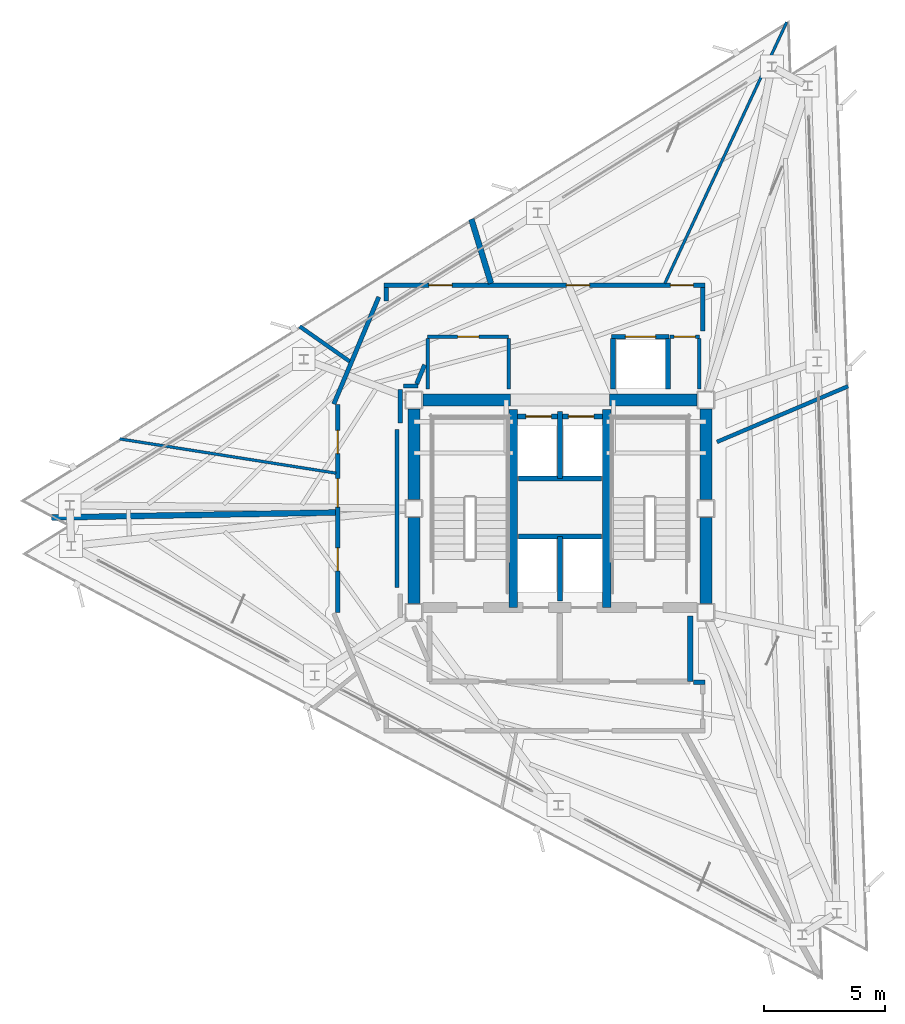
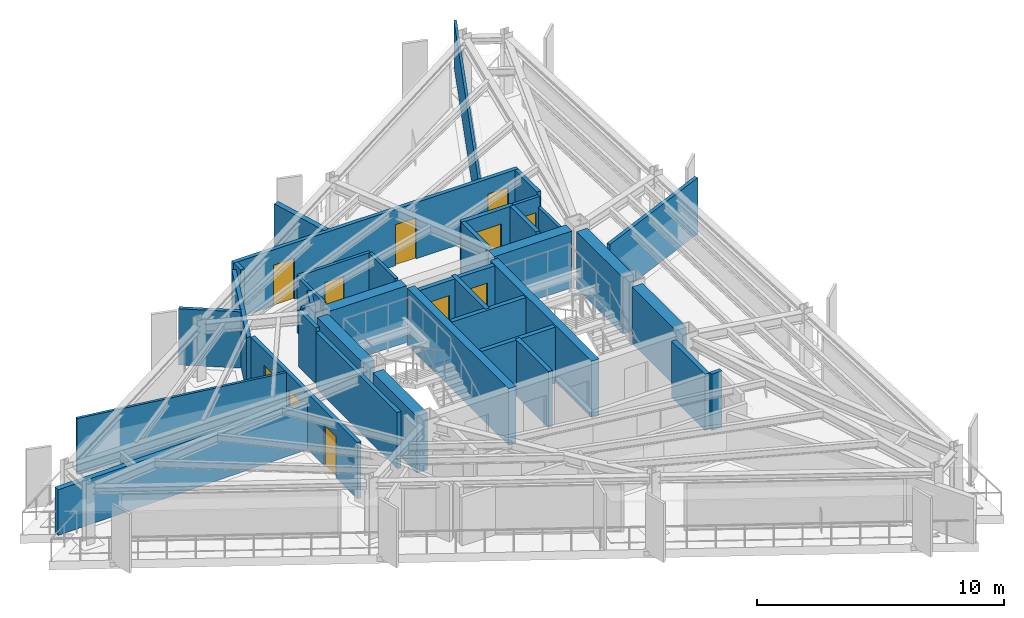
# One storey, part 9 of 13: 38 walls, 11 doors, 11 openings.
"""IFC4 building model written with IfcOpenShell, lengths in metres."""

import ifcopenshell
import ifcopenshell.guid

model = None  # the IFC model being written
_history = None  # IfcOwnerHistory: only IFC2X3 demands one
_inside = {}  # id of a spatial element -> (the spatial element, [elements in it])
_under = {}  # id of a project, library or spatial element -> (it, [spatial elements below it])
_declared = {}  # id of a project -> (the project, [libraries it declares])
_typed = {}  # id of a type object -> (the type object, [elements of that type])
_made_of = {}  # id of a material, layer set ... -> (it, [elements and type objects made of it])


def new_model(schema):
    """Start an empty IFC model of exactly this schema.

    Asked for "IFC4X3", IfcOpenShell would pick the latest addendum, in which some entities
    have other attributes; the version numbers below select the first issue.
    IFC2X3 requires an IfcOwnerHistory on every rooted entity: one is made here for all.
    """
    global model, _history
    if schema == "IFC4X3":
        model = ifcopenshell.file(schema_version=(4, 3, 0, 0))
    else:
        model = ifcopenshell.file(schema=schema)
    _inside.clear()
    _under.clear()
    _declared.clear()
    _typed.clear()
    _made_of.clear()
    _history = None
    if model.schema == "IFC2X3":
        org = make("IfcOrganization", Name="unknown")
        user = make(
            "IfcPersonAndOrganization",
            ThePerson=make("IfcPerson", FamilyName="unknown"),
            TheOrganization=org,
        )
        app = make(
            "IfcApplication",
            ApplicationDeveloper=org,
            Version="unknown",
            ApplicationFullName="unknown",
            ApplicationIdentifier="unknown",
        )
        _history = make(
            "IfcOwnerHistory",
            OwningUser=user,
            OwningApplication=app,
            ChangeAction="ADDED",
            CreationDate=0,
        )
    return model


def make(cls, **values):
    """One entity of the class cls with the attributes given. An attribute that is None is left unset."""
    return model.create_entity(
        cls, **{name: value for name, value in values.items() if value is not None}
    )


def rooted(cls, **values):
    """An entity with a GlobalId (a new one), such as an element, a storey or a relation."""
    return make(cls, GlobalId=ifcopenshell.guid.new(), OwnerHistory=_history, **values)


def si_unit(unit_type, name, prefix=None):
    """IfcSIUnit, for example si_unit("LENGTHUNIT", "METRE", prefix="MILLI")."""
    return make("IfcSIUnit", UnitType=unit_type, Prefix=prefix, Name=name)


def assignment(units):
    """IfcUnitAssignment: the units of a project."""
    return None if units is None else make("IfcUnitAssignment", Units=units)


def point(xyz):
    """IfcCartesianPoint."""
    return None if xyz is None else make("IfcCartesianPoint", Coordinates=xyz)


def direction(xyz):
    """IfcDirection."""
    return None if xyz is None else make("IfcDirection", DirectionRatios=xyz)


def frame(location, z_axis=None, x_axis=None):
    """IfcAxis2Placement3D, a coordinate frame: its origin and axes. An axis left out is left unset."""
    return make(
        "IfcAxis2Placement3D",
        Location=point(location),
        Axis=direction(z_axis),
        RefDirection=direction(x_axis),
    )


def frame_2d(location, x_axis=None):
    """IfcAxis2Placement2D, a coordinate frame in the plane: its origin and x axis."""
    return make(
        "IfcAxis2Placement2D", Location=point(location), RefDirection=direction(x_axis)
    )


def origin():
    """The frame at (0, 0, 0) with its axes left unset."""
    return frame((0.0, 0.0, 0.0))


def place(relative_to, where):
    """IfcLocalPlacement: puts the frame where relative to a parent placement (None: the world)."""
    return make(
        "IfcLocalPlacement", PlacementRelTo=relative_to, RelativePlacement=where
    )


def context(
    kind, dimensions, precision=None, world=None, true_north=None, identifier=None
):
    """IfcGeometricRepresentationContext, for example the 3D "Model" context."""
    return make(
        "IfcGeometricRepresentationContext",
        ContextIdentifier=identifier,
        ContextType=kind,
        CoordinateSpaceDimension=dimensions,
        Precision=precision,
        WorldCoordinateSystem=world,
        TrueNorth=true_north,
    )


def subcontext(parent, identifier, kind, view, scale=None):
    """IfcGeometricRepresentationSubContext, for example "Body" below "Model"."""
    return make(
        "IfcGeometricRepresentationSubContext",
        ContextIdentifier=identifier,
        ContextType=kind,
        ParentContext=parent,
        TargetScale=scale,
        TargetView=view,
    )


def project(units=None, contexts=None):
    """IfcProject with its units and contexts."""
    return rooted(
        "IfcProject",
        Name="project",
        RepresentationContexts=contexts,
        UnitsInContext=assignment(units),
    )


def spatial(cls, under=None, at=None, **own):
    """A site, building, storey or space (cls), placed at a placement, below another one or the project."""
    s = rooted(cls, ObjectPlacement=at, **own)
    if under is not None:
        _under.setdefault(under.id(), (under, []))[1].append(s)
    return s


def profile(cls, at=None, kind="AREA", **sizes):
    """A parametric profile (cls). Its sizes go by their IFC names, for example OverallWidth=200.0."""
    return make(cls, ProfileType=kind, Position=at, **sizes)


def rectangle(**sizes):
    """IfcRectangleProfileDef."""
    return profile("IfcRectangleProfileDef", **sizes)


def extrude(swept, where, along, depth):
    """IfcExtrudedAreaSolid: the profile swept, set in the frame where, extruded along a direction by depth."""
    return make(
        "IfcExtrudedAreaSolid",
        SweptArea=swept,
        Position=where,
        ExtrudedDirection=direction(along),
        Depth=depth,
    )


def shape(context_of_items, identifier, shape_type, items):
    """IfcShapeRepresentation: the items that make up one representation, for example the "Body"."""
    return make(
        "IfcShapeRepresentation",
        ContextOfItems=context_of_items,
        RepresentationIdentifier=identifier,
        RepresentationType=shape_type,
        Items=items,
    )


def material(Name=None, Category=None):
    """IfcMaterial."""
    return make("IfcMaterial", Name=Name, Category=Category)


def layer(
    of_material, thickness, ventilated=None, Name=None, Category=None, Priority=None
):
    """IfcMaterialLayer: one layer of a wall or slab, of a material (None: an air gap)."""
    return make(
        "IfcMaterialLayer",
        Material=of_material,
        LayerThickness=thickness,
        IsVentilated=ventilated,
        Name=Name,
        Category=Category,
        Priority=Priority,
    )


def layer_set(layers, Name=None):
    """IfcMaterialLayerSet."""
    return make("IfcMaterialLayerSet", MaterialLayers=layers, LayerSetName=Name)


def made_of(thing, what):
    """Note that an element or type object is made of a material, layer set ...; save() writes the relation."""
    if what is not None:
        _made_of.setdefault(what.id(), (what, []))[1].append(thing)
    return thing


def type_object(cls, material=None, **own):
    """A type object (cls), such as IfcWallType, which elements share."""
    return made_of(rooted(cls, **own), material)


def element(
    cls,
    number,
    at=None,
    inside=None,
    cuts=None,
    type_object=None,
    material=None,
    context=None,
    identifier="Body",
    shape_type=None,
    held_by="IfcProductDefinitionShape",
    body=None,
    shapes=None,
    **own,
):
    """One element of the class cls, such as IfcWall. Its Tag is "e" and its number.

    at: its placement. inside: the storey or other place that contains it. cuts: it is an
    opening in that element (IfcRelVoidsElement). A single representation is given by context,
    identifier, shape_type and body (its items); several are given by shapes. held_by: the class
    of the entity that holds the representations. save() writes the other relations.
    """
    e = rooted(cls, Tag="e%d" % number, ObjectPlacement=at, **own)
    if body is not None:
        shapes = [shape(context, identifier, shape_type, body)]
    if shapes is not None:
        e.Representation = make(held_by, Representations=shapes)
    if inside is not None:
        _inside.setdefault(inside.id(), (inside, []))[1].append(e)
    if cuts is not None:
        rooted(
            "IfcRelVoidsElement", RelatingBuildingElement=cuts, RelatedOpeningElement=e
        )
    if type_object is not None:
        _typed.setdefault(type_object.id(), (type_object, []))[1].append(e)
    return made_of(e, material)


def fill(opening, filler):
    """IfcRelFillsElement: the door or window that sits in an opening."""
    return rooted(
        "IfcRelFillsElement",
        RelatingOpeningElement=opening,
        RelatedBuildingElement=filler,
    )


def aggregate(whole, parts):
    """IfcRelAggregates: a whole, such as a stair, and the parts it consists of."""
    return rooted("IfcRelAggregates", RelatingObject=whole, RelatedObjects=parts)


def save(model, path):
    """Write the relations noted so far, then the file.

    IfcRelAggregates (storeys below a building ...), IfcRelContainedInSpatialStructure (elements
    in a storey), IfcRelDefinesByType, IfcRelAssociatesMaterial and IfcRelDeclares: one each for
    every whole, place, type object, material and project.
    """
    for whole, parts in _under.values():
        aggregate(whole, parts)
    for where, things in _inside.values():
        rooted(
            "IfcRelContainedInSpatialStructure",
            RelatedElements=things,
            RelatingStructure=where,
        )
    for kind, things in _typed.values():
        rooted("IfcRelDefinesByType", RelatedObjects=things, RelatingType=kind)
    for what, things in _made_of.values():
        rooted("IfcRelAssociatesMaterial", RelatedObjects=things, RelatingMaterial=what)
    for by, libraries in _declared.values():
        rooted("IfcRelDeclares", RelatingContext=by, RelatedDefinitions=libraries)
    model.write(path)


model = new_model("IFC4")

# Units and contexts
model_context = context("Model", 3, precision=1e-05, world=origin(), true_north=direction((0.0, 1.0)))
body_context = subcontext(model_context, "Body", "Model", "MODEL_VIEW")
ifc_project = project(units=[si_unit("LENGTHUNIT", "METRE"), si_unit("AREAUNIT", "SQUARE_METRE"), si_unit("VOLUMEUNIT", "CUBIC_METRE"), si_unit("PLANEANGLEUNIT", "RADIAN"), si_unit("MASSUNIT", "GRAM", prefix="KILO")], contexts=[model_context])

# Site, building, storey
site_placement = place(None, origin())
site = spatial("IfcSite", under=ifc_project, at=site_placement, CompositionType="ELEMENT")
building_placement = place(site_placement, origin())
building = spatial("IfcBuilding", under=site, at=building_placement, Name="Rocaltana Carrier Exchange", CompositionType="ELEMENT")
storey_placement = place(building_placement, frame((0.0, 0.0, 193.60009765625)))
storey = spatial("IfcBuildingStorey", under=building, at=storey_placement, Name="L61", CompositionType="ELEMENT", Elevation=193.60009765625)

# Walls
ifc_material_1 = material(Name="Double Acoustic Gypsum Partition", Category="gypsum")
ifc_layer_1 = layer(ifc_material_1, 0.159912109375)
ifc_layer_set_1 = layer_set([ifc_layer_1], Name="Double Acoustic Gypsum Partition")
wall_type_1 = type_object("IfcWallType", Name="Acoustic Studio Partition 160 EI60", PredefinedType="PARTITIONING", material=ifc_layer_set_1)
wall_1_placement = place(storey_placement, frame((6.510009765625, 2.76318359375, 0.0), z_axis=(0.0, 0.0, 1.0), x_axis=(0.920487144923, 0.390772844543, 0.0)))
element("IfcWall", 1, at=wall_1_placement, inside=storey, type_object=wall_type_1, Name="L61 Suite Divider Wall D5", PredefinedType="PARTITIONING", context=body_context, shape_type="SweptSolid", body=[
    extrude(rectangle(XDim=5.904052734375, YDim=0.159912109375, at=frame_2d((2.9521484375, 0.0))), origin(), (0.0, 0.0, 1.0), 2.77294921875),
])
wall_2_placement = place(storey_placement, frame((-8.71044921875, 6.09912109375, 0.0), z_axis=(0.0, 0.0, 1.0), x_axis=(-0.819154754917, 0.573572565154, 0.0)))
element("IfcWall", 2, at=wall_2_placement, inside=storey, type_object=wall_type_1, Name="L61 Suite Divider Wall D8", PredefinedType="PARTITIONING", context=body_context, shape_type="SweptSolid", body=[
    extrude(rectangle(XDim=2.527099609375, YDim=0.159912109375, at=frame_2d((1.263671875, 0.0))), origin(), (0.0, 0.0, 1.0), 2.77294921875),
])
ifc_material_2 = material(Name="Concrete C50/60", Category="concrete")
ifc_layer_2 = layer(ifc_material_2, 0.35009765625)
ifc_layer_set_2 = layer_set([ifc_layer_2], Name="Concrete C50/60")
wall_type_2 = type_object("IfcWallType", Name="Core Internal Shear Wall 350", PredefinedType="SHEAR", material=ifc_layer_set_2)
for number, where, z_axis, x_axis, name in (
    (3, (-1.93994140625, -4.10009765625, 0.0), (0.0, 0.0, 1.0), (0.0, 1.0, 0.0), "L61 Core Shear Wall CW-STW"),
    (4, (1.93994140625, -4.10009765625, 0.0), (0.0, 0.0, 1.0), (0.0, 1.0, 0.0), "L61 Core Shear Wall CW-STE"),
):
    element("IfcWall", number, at=place(storey_placement, frame(where, z_axis=z_axis, x_axis=x_axis)), inside=storey, type_object=wall_type_2, Name=name, PredefinedType="SHEAR", context=body_context, shape_type="SweptSolid", body=[
        extrude(rectangle(XDim=8.2001953125, YDim=0.35009765625, at=frame_2d((4.10009765625, 0.0))), origin(), (0.0, 0.0, 1.0), 2.7978515625),
    ])
ifc_material_3 = material(Name="Concrete C50/60", Category="concrete")
ifc_layer_3 = layer(ifc_material_3, 0.5)
ifc_layer_set_3 = layer_set([ifc_layer_3], Name="Concrete C50/60")
wall_type_3 = type_object("IfcWallType", Name="Core Shear Wall 500", PredefinedType="SHEAR", material=ifc_layer_set_3)
wall_3_placement = place(storey_placement, frame((-6.050048828125, 0.375, 0.0), z_axis=(0.0, 0.0, 1.0), x_axis=(0.0, 1.0, 0.0)))
element("IfcWall", 5, at=wall_3_placement, inside=storey, type_object=wall_type_3, Name="L61 Core Shear Wall CW-WN", PredefinedType="SHEAR", context=body_context, shape_type="SweptSolid", body=[
    extrude(rectangle(XDim=3.75, YDim=0.5, at=frame_2d((1.875, 0.0))), origin(), (0.0, 0.0, 1.0), 2.7978515625),
])
wall_4_placement = place(storey_placement, frame((-6.050048828125, -3.925048828125, 0.0), z_axis=(0.0, 0.0, 1.0), x_axis=(0.0, 1.0, 0.0)))
element("IfcWall", 6, at=wall_4_placement, inside=storey, type_object=wall_type_3, Name="L61 Core Shear Wall CW-WS", PredefinedType="SHEAR", context=body_context, shape_type="SweptSolid", body=[
    extrude(rectangle(XDim=3.550048828125, YDim=0.5, at=frame_2d((1.77490234375, 0.0))), origin(), (0.0, 0.0, 1.0), 2.7978515625),
])
wall_5_placement = place(storey_placement, frame((6.050048828125, 0.375, 0.0), z_axis=(0.0, 0.0, 1.0), x_axis=(0.0, 1.0, 0.0)))
element("IfcWall", 7, at=wall_5_placement, inside=storey, type_object=wall_type_3, Name="L61 Core Shear Wall CW-EN", PredefinedType="SHEAR", context=body_context, shape_type="SweptSolid", body=[
    extrude(rectangle(XDim=3.75, YDim=0.5, at=frame_2d((1.875, 0.0))), origin(), (0.0, 0.0, 1.0), 2.7978515625),
])
wall_6_placement = place(storey_placement, frame((6.050048828125, -3.925048828125, 0.0), z_axis=(0.0, 0.0, 1.0), x_axis=(0.0, 1.0, 0.0)))
element("IfcWall", 8, at=wall_6_placement, inside=storey, type_object=wall_type_3, Name="L61 Core Shear Wall CW-ES", PredefinedType="SHEAR", context=body_context, shape_type="SweptSolid", body=[
    extrude(rectangle(XDim=3.550048828125, YDim=0.5, at=frame_2d((1.77490234375, 0.0))), origin(), (0.0, 0.0, 1.0), 2.7978515625),
])
for number, where, z_axis, x_axis, name in (
    (9, (-5.675048828125, 4.5, 0.0), (0.0, 0.0, 1.0), (1.0, 0.0, 0.0), "L61 Core Shear Wall CW-N1"),
    (10, (2.050048828125, 4.5, 0.0), (0.0, 0.0, 1.0), (1.0, 0.0, 0.0), "L61 Core Shear Wall CW-N2"),
):
    element("IfcWall", number, at=place(storey_placement, frame(where, z_axis=z_axis, x_axis=x_axis)), inside=storey, type_object=wall_type_3, Name=name, PredefinedType="SHEAR", context=body_context, shape_type="SweptSolid", body=[
        extrude(rectangle(XDim=3.625, YDim=0.5, at=frame_2d((1.8125, 0.0))), origin(), (0.0, 0.0, 1.0), 2.7978515625),
    ])

# Wall, openings, doors
ifc_material_4 = material(Name="Gypsum & Steel Stud Partition", Category="steel")
ifc_layer_4 = layer(ifc_material_4, 0.179931640625)
ifc_layer_set_4 = layer_set([ifc_layer_4], Name="Gypsum & Steel Stud Partition")
wall_type_4 = type_object("IfcWallType", Name="Corridor Fire Partition 180 EI60", PredefinedType="PARTITIONING", material=ifc_layer_set_4)
wall_7_placement = place(storey_placement, frame((-9.199951171875, -4.303466796875, 0.0), z_axis=(0.0, 0.0, 1.0), x_axis=(0.0, 1.0, 0.0)))
wall_7 = element("IfcWall", 11, at=wall_7_placement, inside=storey, type_object=wall_type_4, Name="L61 Corridor Partition 2", PredefinedType="PARTITIONING", context=body_context, shape_type="SweptSolid", body=[
    extrude(rectangle(XDim=8.60693359375, YDim=0.179931640625, at=frame_2d((4.303466796875, 0.0))), origin(), (0.0, 0.0, 1.0), 2.77294921875),
])
opening_1_placement = place(wall_7_placement, frame((1.720947265625, 0.0, 0.0)))
opening_1 = element("IfcOpeningElement", 12, at=opening_1_placement, cuts=wall_7, Name="Opening D-RM098", PredefinedType="OPENING", context=body_context, shape_type="SweptSolid", body=[
    extrude(rectangle(XDim=0.9599609375, YDim=2.02001953125, at=frame_2d((0.47998046875, 1.010009765625))), frame((0.0, 0.099853515625, 0.0), z_axis=(0.0, -1.0, 0.0), x_axis=(1.0, 0.0, 0.0)), (0.0, 0.0, 1.0), 0.199951171875),
])
opening_2_placement = place(wall_7_placement, frame((6.580322265625, 0.0, 0.0)))
opening_2 = element("IfcOpeningElement", 13, at=opening_2_placement, cuts=wall_7, Name="Opening D-RM098", PredefinedType="OPENING", context=body_context, shape_type="SweptSolid", body=[
    extrude(rectangle(XDim=0.9599609375, YDim=2.02001953125, at=frame_2d((0.47998046875, 1.010009765625))), frame((0.0, 0.099853515625, 0.0), z_axis=(0.0, -1.0, 0.0), x_axis=(1.0, 0.0, 0.0)), (0.0, 0.0, 1.0), 0.199951171875),
])
opening_3_placement = place(wall_7_placement, frame((4.366943359375, 0.0, 0.0)))
opening_3 = element("IfcOpeningElement", 14, at=opening_3_placement, cuts=wall_7, Name="Opening D-SU120", PredefinedType="OPENING", context=body_context, shape_type="SweptSolid", body=[
    extrude(rectangle(XDim=1.179931640625, YDim=2.02001953125, at=frame_2d((0.58984375, 1.010009765625))), frame((0.0, 0.099853515625, 0.0), z_axis=(0.0, -1.0, 0.0), x_axis=(1.0, 0.0, 0.0)), (0.0, 0.0, 1.0), 0.199951171875),
])
ifc_material_5 = material(Name="Engineered Hardwood Timber", Category="wood")
door_type_1 = type_object("IfcDoorType", Name="Suite Double Entrance Door 1180x2020", OperationType="NOTDEFINED", PredefinedType="DOOR", material=ifc_material_5)
door_1_placement = place(opening_3_placement, origin())
door_1 = element("IfcDoor", 15, at=door_1_placement, inside=storey, type_object=door_type_1, Name="L61 Carrier Peering Suite Entrance Door", OperationType="SINGLE_SWING_RIGHT", OverallHeight=2.02001953125, OverallWidth=1.179931640625, PredefinedType="DOOR", context=body_context, shape_type="SweptSolid", body=[
    extrude(rectangle(XDim=1.179931640625, YDim=2.02001953125, at=frame_2d((0.58984375, 1.010009765625))), frame((0.0, 0.02490234375, 0.0), z_axis=(0.0, -1.0, 0.0), x_axis=(1.0, 0.0, 0.0)), (0.0, 0.0, 1.0), 0.050048828125),
])
fill(opening_3, door_1)
ifc_material_6 = material(Name="Engineered Hardwood Timber", Category="wood")
door_type_2 = type_object("IfcDoorType", Name="Workspace Single Door 960x2020", OperationType="NOTDEFINED", PredefinedType="DOOR", material=ifc_material_6)
door_2_placement = place(opening_1_placement, origin())
door_2 = element("IfcDoor", 16, at=door_2_placement, inside=storey, type_object=door_type_2, Name="L61 Peering Conference Room Entrance Door", OperationType="SINGLE_SWING_RIGHT", OverallHeight=2.02001953125, OverallWidth=0.9599609375, PredefinedType="DOOR", context=body_context, shape_type="SweptSolid", body=[
    extrude(rectangle(XDim=0.9599609375, YDim=2.02001953125, at=frame_2d((0.47998046875, 1.010009765625))), frame((0.0, 0.02490234375, 0.0), z_axis=(0.0, -1.0, 0.0), x_axis=(1.0, 0.0, 0.0)), (0.0, 0.0, 1.0), 0.050048828125),
])
fill(opening_1, door_2)
door_3_placement = place(opening_2_placement, origin())
door_3 = element("IfcDoor", 17, at=door_3_placement, inside=storey, type_object=door_type_2, Name="L61 Incident Briefing Room Entrance Door", OperationType="SINGLE_SWING_LEFT", OverallHeight=2.02001953125, OverallWidth=0.9599609375, PredefinedType="DOOR", context=body_context, shape_type="SweptSolid", body=[
    extrude(rectangle(XDim=0.9599609375, YDim=2.02001953125, at=frame_2d((0.47998046875, 1.010009765625))), frame((0.0, 0.02490234375, 0.0), z_axis=(0.0, -1.0, 0.0), x_axis=(1.0, 0.0, 0.0)), (0.0, 0.0, 1.0), 0.050048828125),
])
fill(opening_2, door_3)

# Walls
wall_8_placement = place(storey_placement, frame((-9.36669921875, 4.331787109375, 0.0), z_axis=(0.0, 0.0, 1.0), x_axis=(0.387573945081, 0.921838617706, 0.0)))
element("IfcWall", 18, at=wall_8_placement, inside=storey, type_object=wall_type_4, Name="L61 Corridor Partition 3", PredefinedType="PARTITIONING", context=body_context, shape_type="SweptSolid", body=[
    extrude(rectangle(XDim=4.813232421875, YDim=0.179931640625, at=frame_2d((2.40673828125, 0.0))), origin(), (0.0, 0.0, 1.0), 2.77294921875),
])
wall_9_placement = place(storey_placement, frame((-7.199951171875, 8.6005859375, 0.0), z_axis=(0.0, 0.0, 1.0), x_axis=(0.0, 1.0, 0.0)))
element("IfcWall", 19, at=wall_9_placement, inside=storey, type_object=wall_type_4, Name="L61 Corridor Partition 4", PredefinedType="PARTITIONING", context=body_context, shape_type="SweptSolid", body=[
    extrude(rectangle(XDim=0.559326171875, YDim=0.179931640625, at=frame_2d((0.27978515625, 0.0))), origin(), (0.0, 0.0, 1.0), 2.77294921875),
])

# Wall, openings, doors
wall_10_placement = place(storey_placement, frame((-7.2900390625, 9.25, 0.0), z_axis=(0.0, 0.0, 1.0), x_axis=(1.0, 0.0, 0.0)))
wall_10 = element("IfcWall", 20, at=wall_10_placement, inside=storey, type_object=wall_type_4, Name="L61 Corridor Partition 5", PredefinedType="PARTITIONING", context=body_context, shape_type="SweptSolid", body=[
    extrude(rectangle(XDim=13.300048828125, YDim=0.179931640625, at=frame_2d((6.64990234375, 0.0))), origin(), (0.0, 0.0, 1.0), 2.77294921875),
])
opening_4_placement = place(wall_10_placement, frame((11.8642578125, 0.0, 0.0)))
opening_4 = element("IfcOpeningElement", 21, at=opening_4_placement, cuts=wall_10, Name="Opening D-RM098", PredefinedType="OPENING", context=body_context, shape_type="SweptSolid", body=[
    extrude(rectangle(XDim=0.9599609375, YDim=2.02001953125, at=frame_2d((0.47998046875, 1.010009765625))), frame((0.0, 0.099853515625, 0.0), z_axis=(0.0, -1.0, 0.0), x_axis=(1.0, 0.0, 0.0)), (0.0, 0.0, 1.0), 0.199951171875),
])
opening_5_placement = place(wall_10_placement, frame((7.560546875, 0.0, 0.0)))
opening_5 = element("IfcOpeningElement", 22, at=opening_5_placement, cuts=wall_10, Name="Opening D-RM098", PredefinedType="OPENING", context=body_context, shape_type="SweptSolid", body=[
    extrude(rectangle(XDim=0.9599609375, YDim=2.02001953125, at=frame_2d((0.47998046875, 1.010009765625))), frame((0.0, 0.099853515625, 0.0), z_axis=(0.0, -1.0, 0.0), x_axis=(1.0, 0.0, 0.0)), (0.0, 0.0, 1.0), 0.199951171875),
])
opening_6_placement = place(wall_10_placement, frame((1.8671875, 0.0, 0.0)))
opening_6 = element("IfcOpeningElement", 23, at=opening_6_placement, cuts=wall_10, Name="Opening D-RM098", PredefinedType="OPENING", context=body_context, shape_type="SweptSolid", body=[
    extrude(rectangle(XDim=0.9599609375, YDim=2.02001953125, at=frame_2d((0.47998046875, 1.010009765625))), frame((0.0, 0.099853515625, 0.0), z_axis=(0.0, -1.0, 0.0), x_axis=(1.0, 0.0, 0.0)), (0.0, 0.0, 1.0), 0.199951171875),
])
door_4_placement = place(opening_4_placement, origin())
door_4 = element("IfcDoor", 24, at=door_4_placement, inside=storey, type_object=door_type_2, Name="L61 Executive Peering Boardroom Entrance Door", OperationType="SINGLE_SWING_RIGHT", OverallHeight=2.02001953125, OverallWidth=0.9599609375, PredefinedType="DOOR", context=body_context, shape_type="SweptSolid", body=[
    extrude(rectangle(XDim=0.9599609375, YDim=2.02001953125, at=frame_2d((0.47998046875, 1.010009765625))), frame((0.0, 0.02490234375, 0.0), z_axis=(0.0, -1.0, 0.0), x_axis=(1.0, 0.0, 0.0)), (0.0, 0.0, 1.0), 0.050048828125),
])
fill(opening_4, door_4)
door_5_placement = place(opening_5_placement, origin())
door_5 = element("IfcDoor", 25, at=door_5_placement, inside=storey, type_object=door_type_2, Name="L61 Peering Conference Room Entrance Door", OperationType="SINGLE_SWING_LEFT", OverallHeight=2.02001953125, OverallWidth=0.9599609375, PredefinedType="DOOR", context=body_context, shape_type="SweptSolid", body=[
    extrude(rectangle(XDim=0.9599609375, YDim=2.02001953125, at=frame_2d((0.47998046875, 1.010009765625))), frame((0.0, 0.02490234375, 0.0), z_axis=(0.0, -1.0, 0.0), x_axis=(1.0, 0.0, 0.0)), (0.0, 0.0, 1.0), 0.050048828125),
])
fill(opening_5, door_5)
door_6_placement = place(opening_6_placement, origin())
door_6 = element("IfcDoor", 26, at=door_6_placement, inside=storey, type_object=door_type_2, Name="L61 Quiet Focus Lounge Entrance Door", OperationType="SINGLE_SWING_RIGHT", OverallHeight=2.02001953125, OverallWidth=0.9599609375, PredefinedType="DOOR", context=body_context, shape_type="SweptSolid", body=[
    extrude(rectangle(XDim=0.9599609375, YDim=2.02001953125, at=frame_2d((0.47998046875, 1.010009765625))), frame((0.0, 0.02490234375, 0.0), z_axis=(0.0, -1.0, 0.0), x_axis=(1.0, 0.0, 0.0)), (0.0, 0.0, 1.0), 0.050048828125),
])
fill(opening_6, door_6)

# Walls
wall_11_placement = place(storey_placement, frame((5.919921875, 9.159912109375, 0.0), z_axis=(0.0, 0.0, 1.0), x_axis=(0.0, -1.0, 0.0)))
element("IfcWall", 27, at=wall_11_placement, inside=storey, type_object=wall_type_4, Name="L61 Corridor Partition 6", PredefinedType="PARTITIONING", context=body_context, shape_type="SweptSolid", body=[
    extrude(rectangle(XDim=1.7998046875, YDim=0.179931640625, at=frame_2d((0.89990234375, 0.0))), origin(), (0.0, 0.0, 1.0), 2.77294921875),
])
wall_12_placement = place(storey_placement, frame((-5.602294921875, 5.9580078125, 0.0), z_axis=(0.0, 0.0, 1.0), x_axis=(-0.387588639363, -0.921832439566, 0.0)))
element("IfcWall", 28, at=wall_12_placement, inside=storey, type_object=wall_type_4, Name="L61 Corridor Partition 8", PredefinedType="PARTITIONING", context=body_context, shape_type="SweptSolid", body=[
    extrude(rectangle(XDim=0.8623046875, YDim=0.179931640625, at=frame_2d((0.43115234375, 0.0))), origin(), (0.0, 0.0, 1.0), 2.77294921875),
])
wall_13_placement = place(storey_placement, frame((-5.88134765625, 5.080078125, 0.0), z_axis=(0.0, 0.0, 1.0), x_axis=(-1.0, 0.0, 0.0)))
element("IfcWall", 29, at=wall_13_placement, inside=storey, type_object=wall_type_4, Name="L61 Corridor Partition 9", PredefinedType="PARTITIONING", context=body_context, shape_type="SweptSolid", body=[
    extrude(rectangle(XDim=0.588623046875, YDim=0.179931640625, at=frame_2d((0.29443359375, 0.0))), origin(), (0.0, 0.0, 1.0), 2.77294921875),
])
wall_14_placement = place(storey_placement, frame((-6.610107421875, 4.93994140625, 0.0), z_axis=(0.0, 0.0, 1.0), x_axis=(0.0, -1.0, 0.0)))
element("IfcWall", 30, at=wall_14_placement, inside=storey, type_object=wall_type_4, Name="L61 Corridor Partition 10", PredefinedType="PARTITIONING", context=body_context, shape_type="SweptSolid", body=[
    extrude(rectangle(XDim=1.398681640625, YDim=0.179931640625, at=frame_2d((0.69921875, 0.0))), origin(), (0.0, 0.0, 1.0), 2.77294921875),
])
wall_15_placement = place(storey_placement, frame((-6.75, 3.2734375, 0.0), z_axis=(0.0, 0.0, 1.0), x_axis=(0.0, -1.0, 0.0)))
element("IfcWall", 31, at=wall_15_placement, inside=storey, type_object=wall_type_4, Name="L61 Corridor Partition 11", PredefinedType="PARTITIONING", context=body_context, shape_type="SweptSolid", body=[
    extrude(rectangle(XDim=6.546875, YDim=0.179931640625, at=frame_2d((3.2734375, 0.0))), origin(), (0.0, 0.0, 1.0), 2.77294921875),
])
wall_16_placement = place(storey_placement, frame((5.530029296875, -7.199951171875, 0.0), z_axis=(0.0, 0.0, 1.0), x_axis=(1.0, 0.0, 0.0)))
element("IfcWall", 32, at=wall_16_placement, inside=storey, type_object=wall_type_4, Name="L61 Corridor Partition 14", PredefinedType="PARTITIONING", context=body_context, shape_type="SweptSolid", body=[
    extrude(rectangle(XDim=0.47998046875, YDim=0.179931640625, at=frame_2d((0.239990234375, 0.0))), origin(), (0.0, 0.0, 1.0), 2.77294921875),
])
ifc_material_7 = material(Name="Aluminium 6063-T6 & Acoustic Glass", Category="aluminium")
ifc_layer_5 = layer(ifc_material_7, 0.114990234375)
ifc_layer_set_5 = layer_set([ifc_layer_5], Name="Aluminium 6063-T6 & Acoustic Glass")
wall_type_5 = type_object("IfcWallType", Name="Demountable Glazed Lab Partition 115", PredefinedType="MOVABLE", material=ifc_layer_set_5)
wall_17_placement = place(storey_placement, frame((4.3505859375, 9.330078125, 0.0), z_axis=(0.0, 0.0, 1.0), x_axis=(0.422616983209, 0.906308383225, 0.0)))
element("IfcWall", 33, at=wall_17_placement, inside=storey, type_object=wall_type_5, Name="L61 Suite Divider Wall D6", PredefinedType="MOVABLE", context=body_context, shape_type="SweptSolid", body=[
    extrude(rectangle(XDim=11.9482421875, YDim=0.114990234375, at=frame_2d((5.97412109375, 0.0))), origin(), (0.0, 0.0, 1.0), 2.2529296875),
])
wall_18_placement = place(storey_placement, frame((-9.280029296875, 1.4697265625, 0.0), z_axis=(0.0, 0.0, 1.0), x_axis=(-0.987686019225, 0.156449120891, 0.0)))
element("IfcWall", 34, at=wall_18_placement, inside=storey, type_object=wall_type_5, Name="L61 Suite Divider Wall D9", PredefinedType="MOVABLE", context=body_context, shape_type="SweptSolid", body=[
    extrude(rectangle(XDim=9.069580078125, YDim=0.114990234375, at=frame_2d((4.53466796875, 0.0))), origin(), (0.0, 0.0, 1.0), 2.77294921875),
])
ifc_material_8 = material(Name="Autoclaved Aerated Concrete C30/37", Category="concrete")
ifc_layer_6 = layer(ifc_material_8, 0.219970703125)
ifc_layer_set_6 = layer_set([ifc_layer_6], Name="Autoclaved Aerated Concrete C30/37")
wall_type_6 = type_object("IfcWallType", Name="Firefighting Lobby Wall 220 EI120", PredefinedType="PARTITIONING", material=ifc_layer_set_6)
wall_19_placement = place(storey_placement, frame((5.39990234375, -7.159912109375, 0.0), z_axis=(0.0, 0.0, 1.0), x_axis=(0.0, 1.0, 0.0)))
element("IfcWall", 35, at=wall_19_placement, inside=storey, type_object=wall_type_6, Name="L61 FFL Lobby 2 East Wall", PredefinedType="PARTITIONING", context=body_context, shape_type="SweptSolid", body=[
    extrude(rectangle(XDim=2.7099609375, YDim=0.219970703125, at=frame_2d((1.35498046875, 0.0))), origin(), (0.0, 0.0, 1.0), 2.77294921875),
])
ifc_material_9 = material(Name="Acoustic Calcium Silicate Partition", Category="gypsum")
ifc_layer_7 = layer(ifc_material_9, 0.239990234375)
ifc_layer_set_7 = layer_set([ifc_layer_7], Name="Acoustic Calcium Silicate Partition")
wall_type_7 = type_object("IfcWallType", Name="Heavy Lab Partition 240 EI90", PredefinedType="PARTITIONING", material=ifc_layer_set_7)
wall_20_placement = place(storey_placement, frame((-9.280029296875, -0.162109375, 0.0), z_axis=(0.0, 0.0, 1.0), x_axis=(-0.999847998997, -0.017434990714, 0.0)))
element("IfcWall", 36, at=wall_20_placement, inside=storey, type_object=wall_type_7, Name="L61 Suite Divider Wall D1", PredefinedType="PARTITIONING", context=body_context, shape_type="SweptSolid", body=[
    extrude(rectangle(XDim=11.7763671875, YDim=0.239990234375, at=frame_2d((5.88818359375, 0.0))), origin(), (0.0, 0.0, 1.0), 2.2529296875),
])
wall_21_placement = place(storey_placement, frame((-2.8525390625, 9.330078125, 0.0), z_axis=(0.0, 0.0, 1.0), x_axis=(-0.292329881005, 0.956317541757, 0.0)))
element("IfcWall", 37, at=wall_21_placement, inside=storey, type_object=wall_type_7, Name="L61 Suite Divider Wall D7", PredefinedType="PARTITIONING", context=body_context, shape_type="SweptSolid", body=[
    extrude(rectangle(XDim=2.78515625, YDim=0.239990234375, at=frame_2d((1.392578125, 0.0))), origin(), (0.0, 0.0, 1.0), 2.77294921875),
])
ifc_material_10 = material(Name="Reinforced Concrete Block C35/45", Category="concrete")
ifc_layer_8 = layer(ifc_material_10, 0.199951171875)
ifc_layer_set_8 = layer_set([ifc_layer_8], Name="Reinforced Concrete Block C35/45")
wall_type_8 = type_object("IfcWallType", Name="Lift Hoistway Enclosure Wall 200 EI120", PredefinedType="PARTITIONING", material=ifc_layer_set_8)
wall_22_placement = place(storey_placement, frame((0.0, -3.820068359375, 0.0), z_axis=(0.0, 0.0, 1.0), x_axis=(0.0, 1.0, 0.0)))
element("IfcWall", 38, at=wall_22_placement, inside=storey, type_object=wall_type_8, Name="L61 FFL Shaft Divider", PredefinedType="PARTITIONING", context=body_context, shape_type="SweptSolid", body=[
    extrude(rectangle(XDim=2.670166015625, YDim=0.199951171875, at=frame_2d((1.3349609375, 0.0))), origin(), (0.0, 0.0, 1.0), 2.77294921875),
])
wall_23_placement = place(storey_placement, frame((-1.719970703125, -1.14990234375, 0.0), z_axis=(0.0, 0.0, 1.0), x_axis=(1.0, 0.0, 0.0)))
element("IfcWall", 39, at=wall_23_placement, inside=storey, type_object=wall_type_8, Name="L61 FFL Shaft Back Wall", PredefinedType="PARTITIONING", context=body_context, shape_type="SweptSolid", body=[
    extrude(rectangle(XDim=3.43994140625, YDim=0.199951171875, at=frame_2d((1.719970703125, 0.0))), origin(), (0.0, 0.0, 1.0), 2.77294921875),
])
wall_24_placement = place(storey_placement, frame((0.0, 1.25, 0.0), z_axis=(0.0, 0.0, 1.0), x_axis=(0.0, 1.0, 0.0)))
element("IfcWall", 40, at=wall_24_placement, inside=storey, type_object=wall_type_8, Name="L61 High-Rise Shaft Divider", PredefinedType="PARTITIONING", context=body_context, shape_type="SweptSolid", body=[
    extrude(rectangle(XDim=2.77001953125, YDim=0.199951171875, at=frame_2d((1.385009765625, 0.0))), origin(), (0.0, 0.0, 1.0), 2.77294921875),
])
wall_25_placement = place(storey_placement, frame((-1.719970703125, 1.25, 0.0), z_axis=(0.0, 0.0, 1.0), x_axis=(1.0, 0.0, 0.0)))
element("IfcWall", 41, at=wall_25_placement, inside=storey, type_object=wall_type_8, Name="L61 High-Rise Shaft Back Wall", PredefinedType="PARTITIONING", context=body_context, shape_type="SweptSolid", body=[
    extrude(rectangle(XDim=3.43994140625, YDim=0.199951171875, at=frame_2d((1.719970703125, 0.0))), origin(), (0.0, 0.0, 1.0), 2.77294921875),
])

# Wall, openings, doors
wall_26_placement = place(storey_placement, frame((-1.760009765625, 3.820068359375, 0.0), z_axis=(0.0, 0.0, 1.0), x_axis=(1.0, 0.0, 0.0)))
wall_26 = element("IfcWall", 42, at=wall_26_placement, inside=storey, type_object=wall_type_8, Name="L61 High-Rise Lift Front Wall", PredefinedType="PARTITIONING", context=body_context, shape_type="SweptSolid", body=[
    extrude(rectangle(XDim=3.52001953125, YDim=0.199951171875, at=frame_2d((1.760009765625, 0.0))), origin(), (0.0, 0.0, 1.0), 2.77294921875),
])
opening_7_placement = place(wall_26_placement, frame((0.35009765625, 0.0, 0.0)))
opening_7 = element("IfcOpeningElement", 43, at=opening_7_placement, cuts=wall_26, Name="Opening LD-110", PredefinedType="OPENING", context=body_context, shape_type="SweptSolid", body=[
    extrude(rectangle(XDim=1.06005859375, YDim=2.0400390625, at=frame_2d((0.530029296875, 1.02001953125))), frame((0.0, 0.10986328125, 0.0), z_axis=(0.0, -1.0, 0.0), x_axis=(1.0, 0.0, 0.0)), (0.0, 0.0, 1.0), 0.219970703125),
])
opening_8_placement = place(wall_26_placement, frame((2.110107421875, 0.0, 0.0)))
opening_8 = element("IfcOpeningElement", 44, at=opening_8_placement, cuts=wall_26, Name="Opening LD-110", PredefinedType="OPENING", context=body_context, shape_type="SweptSolid", body=[
    extrude(rectangle(XDim=1.06005859375, YDim=2.0400390625, at=frame_2d((0.530029296875, 1.02001953125))), frame((0.0, 0.10986328125, 0.0), z_axis=(0.0, -1.0, 0.0), x_axis=(1.0, 0.0, 0.0)), (0.0, 0.0, 1.0), 0.219970703125),
])
ifc_material_11 = material(Name="Brushed Stainless Sliding Door Leaf", Category="steel")
door_type_3 = type_object("IfcDoorType", Name="Lift Landing Sliding Door 1060x2040", OperationType="NOTDEFINED", PredefinedType="DOOR", material=ifc_material_11)
door_7_placement = place(opening_7_placement, origin())
door_7 = element("IfcDoor", 45, at=door_7_placement, inside=storey, type_object=door_type_3, Name="L61 High-Rise Lift PLH1 Landing Door", OperationType="SLIDING_TO_LEFT", OverallHeight=2.0400390625, OverallWidth=1.06005859375, PredefinedType="DOOR", context=body_context, shape_type="SweptSolid", body=[
    extrude(rectangle(XDim=1.06005859375, YDim=2.0400390625, at=frame_2d((0.530029296875, 1.02001953125))), frame((0.0, 0.02490234375, 0.0), z_axis=(0.0, -1.0, 0.0), x_axis=(1.0, 0.0, 0.0)), (0.0, 0.0, 1.0), 0.050048828125),
])
fill(opening_7, door_7)
door_8_placement = place(opening_8_placement, origin())
door_8 = element("IfcDoor", 46, at=door_8_placement, inside=storey, type_object=door_type_3, Name="L61 High-Rise Lift PLH2 Landing Door", OperationType="SLIDING_TO_RIGHT", OverallHeight=2.0400390625, OverallWidth=1.06005859375, PredefinedType="DOOR", context=body_context, shape_type="SweptSolid", body=[
    extrude(rectangle(XDim=1.06005859375, YDim=2.0400390625, at=frame_2d((0.530029296875, 1.02001953125))), frame((0.0, 0.02490234375, 0.0), z_axis=(0.0, -1.0, 0.0), x_axis=(1.0, 0.0, 0.0)), (0.0, 0.0, 1.0), 0.050048828125),
])
fill(opening_8, door_8)

# Walls
for number, where, z_axis, x_axis, name in (
    (47, (2.199951171875, 4.949951171875, 0.0), (0.0, 0.0, 1.0), (0.0, 1.0, 0.0), "L61 Goods Lift West Wall"),
    (48, (4.47998046875, 4.949951171875, 0.0), (0.0, 0.0, 1.0), (0.0, 1.0, 0.0), "L61 Goods Lift East Wall"),
):
    element("IfcWall", number, at=place(storey_placement, frame(where, z_axis=z_axis, x_axis=x_axis)), inside=storey, type_object=wall_type_8, Name=name, PredefinedType="PARTITIONING", context=body_context, shape_type="SweptSolid", body=[
        extrude(rectangle(XDim=2.10009765625, YDim=0.199951171875, at=frame_2d((1.050048828125, 0.0))), origin(), (0.0, 0.0, 1.0), 2.77294921875),
    ])

# Wall, opening, door
wall_27_placement = place(storey_placement, frame((2.14990234375, 7.1201171875, 0.0), z_axis=(0.0, 0.0, 1.0), x_axis=(1.0, 0.0, 0.0)))
wall_27 = element("IfcWall", 49, at=wall_27_placement, inside=storey, type_object=wall_type_8, Name="L61 Goods Lift Front Wall", PredefinedType="PARTITIONING", context=body_context, shape_type="SweptSolid", body=[
    extrude(rectangle(XDim=2.380126953125, YDim=0.199951171875, at=frame_2d((1.18994140625, 0.0))), origin(), (0.0, 0.0, 1.0), 2.77294921875),
])
opening_9_placement = place(wall_27_placement, frame((0.56005859375, 0.0, 0.0)))
opening_9 = element("IfcOpeningElement", 50, at=opening_9_placement, cuts=wall_27, Name="Opening LD-130", PredefinedType="OPENING", context=body_context, shape_type="SweptSolid", body=[
    extrude(rectangle(XDim=1.260009765625, YDim=2.06005859375, at=frame_2d((0.6298828125, 1.030029296875))), frame((0.0, 0.10986328125, 0.0), z_axis=(0.0, -1.0, 0.0), x_axis=(1.0, 0.0, 0.0)), (0.0, 0.0, 1.0), 0.219970703125),
])
ifc_material_12 = material(Name="Brushed Stainless Sliding Door Leaf", Category="steel")
door_type_4 = type_object("IfcDoorType", Name="Goods Lift Landing Sliding Door 1260x2060", OperationType="NOTDEFINED", PredefinedType="DOOR", material=ifc_material_12)
door_9_placement = place(opening_9_placement, origin())
door_9 = element("IfcDoor", 51, at=door_9_placement, inside=storey, type_object=door_type_4, Name="L61 Goods Lift GL-1 Landing Door", OperationType="SLIDING_TO_LEFT", OverallHeight=2.06005859375, OverallWidth=1.260009765625, PredefinedType="DOOR", context=body_context, shape_type="SweptSolid", body=[
    extrude(rectangle(XDim=1.260009765625, YDim=2.06005859375, at=frame_2d((0.6298828125, 1.030029296875))), frame((0.0, 0.02490234375, 0.0), z_axis=(0.0, -1.0, 0.0), x_axis=(1.0, 0.0, 0.0)), (0.0, 0.0, 1.0), 0.050048828125),
])
fill(opening_9, door_9)

# Walls
ifc_material_13 = material(Name="Moisture-Resistant Masonry C30/37", Category="masonry")
ifc_layer_9 = layer(ifc_material_13, 0.139892578125)
ifc_layer_set_9 = layer_set([ifc_layer_9], Name="Moisture-Resistant Masonry C30/37")
wall_type_9 = type_object("IfcWallType", Name="Wet-Area Sanitary Partition 140", PredefinedType="PARTITIONING", material=ifc_layer_set_9)
for number, where, z_axis, x_axis, name in (
    (52, (-5.47998046875, 4.949951171875, 0.0), (0.0, 0.0, 1.0), (0.0, 1.0, 0.0), "L61 Sanitary West Wall"),
    (53, (-2.1201171875, 4.949951171875, 0.0), (0.0, 0.0, 1.0), (0.0, 1.0, 0.0), "L61 Sanitary East Wall"),
):
    element("IfcWall", number, at=place(storey_placement, frame(where, z_axis=z_axis, x_axis=x_axis)), inside=storey, type_object=wall_type_9, Name=name, PredefinedType="PARTITIONING", context=body_context, shape_type="SweptSolid", body=[
        extrude(rectangle(XDim=2.10009765625, YDim=0.139892578125, at=frame_2d((1.050048828125, 0.0))), origin(), (0.0, 0.0, 1.0), 2.77294921875),
    ])

# Wall, opening, door
wall_28_placement = place(storey_placement, frame((-5.47998046875, 7.1201171875, 0.0), z_axis=(0.0, 0.0, 1.0), x_axis=(1.0, 0.0, 0.0)))
wall_28 = element("IfcWall", 54, at=wall_28_placement, inside=storey, type_object=wall_type_9, Name="L61 Sanitary North Wall", PredefinedType="PARTITIONING", context=body_context, shape_type="SweptSolid", body=[
    extrude(rectangle(XDim=3.35986328125, YDim=0.139892578125, at=frame_2d((1.679931640625, 0.0))), origin(), (0.0, 0.0, 1.0), 2.77294921875),
])
opening_10_placement = place(wall_28_placement, frame((1.239990234375, 0.0, 0.0)))
opening_10 = element("IfcOpeningElement", 55, at=opening_10_placement, cuts=wall_28, Name="Opening D-WC090", PredefinedType="OPENING", context=body_context, shape_type="SweptSolid", body=[
    extrude(rectangle(XDim=0.8798828125, YDim=2.02001953125, at=frame_2d((0.43994140625, 1.010009765625))), frame((0.0, 0.079833984375, 0.0), z_axis=(0.0, -1.0, 0.0), x_axis=(1.0, 0.0, 0.0)), (0.0, 0.0, 1.0), 0.159912109375),
])
ifc_material_14 = material(Name="High-Pressure Laminate Timber", Category="wood")
door_type_5 = type_object("IfcDoorType", Name="Restroom & Accessible WC Door 880x2020", OperationType="NOTDEFINED", PredefinedType="DOOR", material=ifc_material_14)
door_10_placement = place(opening_10_placement, origin())
door_10 = element("IfcDoor", 56, at=door_10_placement, inside=storey, type_object=door_type_5, Name="L61 Accessible Toilet Door", OperationType="SINGLE_SWING_RIGHT", OverallHeight=2.02001953125, OverallWidth=0.8798828125, PredefinedType="DOOR", context=body_context, shape_type="SweptSolid", body=[
    extrude(rectangle(XDim=0.8798828125, YDim=2.02001953125, at=frame_2d((0.43994140625, 1.010009765625))), frame((0.0, 0.02490234375, 0.0), z_axis=(0.0, -1.0, 0.0), x_axis=(1.0, 0.0, 0.0)), (0.0, 0.0, 1.0), 0.050048828125),
])
fill(opening_10, door_10)

# Wall
wall_29_placement = place(storey_placement, frame((5.780029296875, 4.949951171875, 0.0), z_axis=(0.0, 0.0, 1.0), x_axis=(0.0, 1.0, 0.0)))
element("IfcWall", 57, at=wall_29_placement, inside=storey, type_object=wall_type_9, Name="L61 Restroom East Wall", PredefinedType="PARTITIONING", context=body_context, shape_type="SweptSolid", body=[
    extrude(rectangle(XDim=2.10009765625, YDim=0.139892578125, at=frame_2d((1.050048828125, 0.0))), origin(), (0.0, 0.0, 1.0), 2.2529296875),
])

# Wall, opening, door
wall_30_placement = place(storey_placement, frame((4.56005859375, 7.1201171875, 0.0), z_axis=(0.0, 0.0, 1.0), x_axis=(1.0, 0.0, 0.0)))
wall_30 = element("IfcWall", 58, at=wall_30_placement, inside=storey, type_object=wall_type_9, Name="L61 Restroom North Wall", PredefinedType="PARTITIONING", context=body_context, shape_type="SweptSolid", body=[
    extrude(rectangle(XDim=1.219970703125, YDim=0.139892578125, at=frame_2d((0.60986328125, 0.0))), origin(), (0.0, 0.0, 1.0), 2.77294921875),
])
opening_11_placement = place(wall_30_placement, frame((0.169921875, 0.0, 0.0)))
opening_11 = element("IfcOpeningElement", 59, at=opening_11_placement, cuts=wall_30, Name="Opening D-WC090", PredefinedType="OPENING", context=body_context, shape_type="SweptSolid", body=[
    extrude(rectangle(XDim=0.8798828125, YDim=2.02001953125, at=frame_2d((0.43994140625, 1.010009765625))), frame((0.0, 0.079833984375, 0.0), z_axis=(0.0, -1.0, 0.0), x_axis=(1.0, 0.0, 0.0)), (0.0, 0.0, 1.0), 0.159912109375),
])
door_11_placement = place(opening_11_placement, origin())
door_11 = element("IfcDoor", 60, at=door_11_placement, inside=storey, type_object=door_type_5, Name="L61 Staff Restroom Door", OperationType="SINGLE_SWING_LEFT", OverallHeight=2.02001953125, OverallWidth=0.8798828125, PredefinedType="DOOR", context=body_context, shape_type="SweptSolid", body=[
    extrude(rectangle(XDim=0.8798828125, YDim=2.02001953125, at=frame_2d((0.43994140625, 1.010009765625))), frame((0.0, 0.02490234375, 0.0), z_axis=(0.0, -1.0, 0.0), x_axis=(1.0, 0.0, 0.0)), (0.0, 0.0, 1.0), 0.050048828125),
])
fill(opening_11, door_11)

save(model, "model.ifc")
